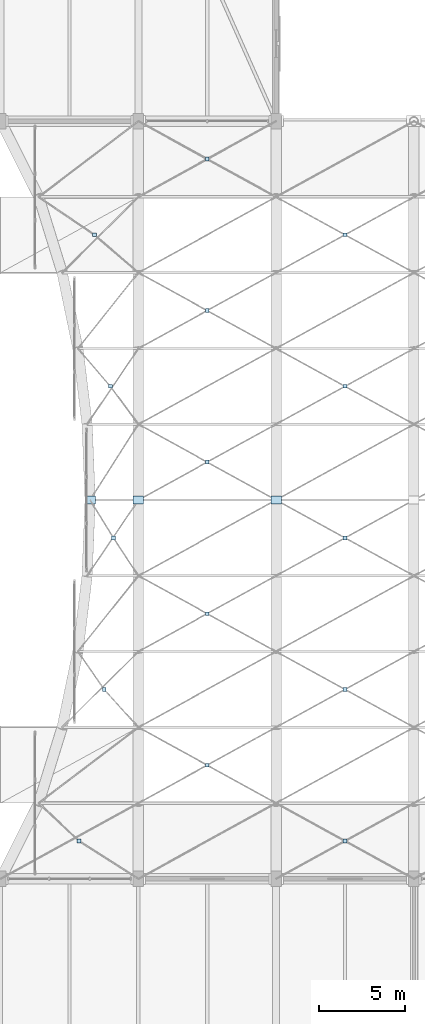
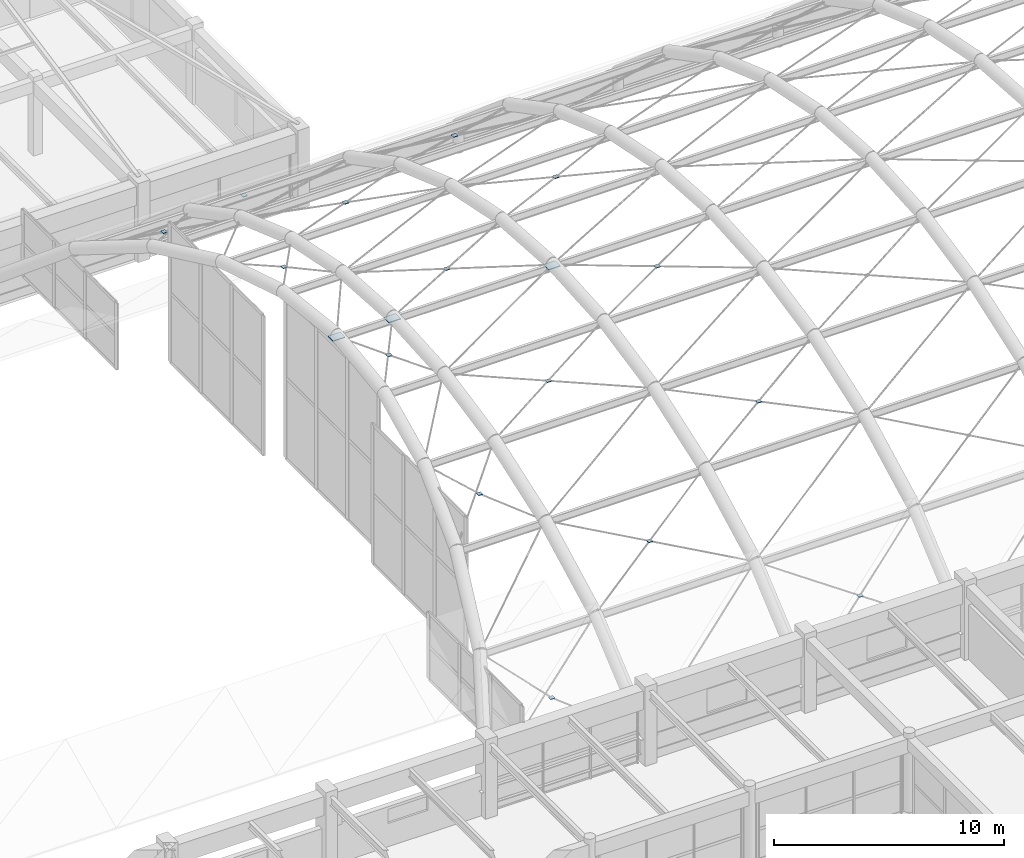
# One storey, part 93 of 126: 18 plates.
"""IFC4 building model written with IfcOpenShell, lengths in metres."""

from ifc_helpers import new_model, si_unit, direction, frame, origin, origin_2d, place, context, subcontext, project, spatial, rectangle, extrude, material, layer, layer_set, type_object, element, save


model = new_model("IFC4")

# Units and contexts
model_context = context("Model", 3, precision=1e-05, world=origin(), true_north=direction((0.0, 1.0)))
body_context = subcontext(model_context, "Body", "Model", "MODEL_VIEW")
ifc_project = project(units=[si_unit("LENGTHUNIT", "METRE"), si_unit("AREAUNIT", "SQUARE_METRE"), si_unit("VOLUMEUNIT", "CUBIC_METRE"), si_unit("PLANEANGLEUNIT", "RADIAN"), si_unit("MASSUNIT", "GRAM", prefix="KILO")], contexts=[model_context])

# Site, building, storey
site_placement = place(None, origin())
site = spatial("IfcSite", under=ifc_project, at=site_placement, CompositionType="ELEMENT")
building_placement = place(site_placement, origin())
building = spatial("IfcBuilding", under=site, at=building_placement, Name="Varnabhumi Central Station", CompositionType="ELEMENT")
storey_placement = place(building_placement, frame((0.0, 0.0, 16.199951171875)))
storey = spatial("IfcBuildingStorey", under=building, at=storey_placement, Name="L03", CompositionType="ELEMENT", Elevation=16.199951171875)

# Plates
ifc_material = material(Name="Structural steel E450", Category="steel")
ifc_layer = layer(ifc_material, 0.035888671875, Name="Structural steel E450", Category="steel")
ifc_layer_set = layer_set([ifc_layer], Name="Structural steel E450")
plate_type = type_object("IfcPlateType", Name="PLT-CLEVIS-C", PredefinedType="SHEET", material=ifc_layer_set)
for number, where, z_axis, x_axis, name in (
    (1, (133.199951171875, 58.0, 10.01220703125), (0.0, 0.0, 1.0), (1.0, 0.0, 0.0), "Platform Train-Shed Vault Crown Cable Clevis Plate 1"),
    (2, (136.0, 58.0, 10.01220703125), (0.0, 0.0, 1.0), (1.0, 0.0, 0.0), "Platform Train-Shed Vault Crown Cable Clevis Plate 2"),
    (3, (144.0, 58.0, 10.01220703125), (0.0, 0.0, 1.0), (1.0, 0.0, 0.0), "Platform Train-Shed Vault Crown Cable Clevis Plate 3"),
):
    element("IfcPlate", number, at=place(storey_placement, frame(where, z_axis=z_axis, x_axis=x_axis)), inside=storey, type_object=plate_type, Name=name, PredefinedType="SHEET", context=body_context, shape_type="SweptSolid", body=[
        extrude(rectangle(XDim=0.60009765625, YDim=0.449951171875, at=origin_2d()), origin(), (0.0, 0.0, 1.0), 0.035888671875),
    ])
for number, where, z_axis, x_axis, name in (
    (4, (132.553466796875, 38.199951171875, 3.12939453125), (0.0, 0.0, 1.0), (1.0, 0.0, 0.0), "Platform Train-Shed Vault Cable-Net Crossing Clamp Node B1-P1"),
    (5, (134.01708984375, 47.0, 8.08349609375), (0.0, 0.0, 1.0), (1.0, 0.0, 0.0), "Platform Train-Shed Vault Cable-Net Crossing Clamp Node B1-P3"),
    (6, (134.55615234375, 55.800048828125, 9.9072265625), (0.0, 0.0, 1.0), (1.0, 0.0, 0.0), "Platform Train-Shed Vault Cable-Net Crossing Clamp Node B1-P5"),
    (7, (134.37890625, 64.60009765625, 9.30810546875), (0.0, 0.0, 1.0), (1.0, 0.0, 0.0), "Platform Train-Shed Vault Cable-Net Crossing Clamp Node B1-P7"),
    (8, (133.44775390625, 73.39990234375, 6.15625), (0.0, 0.0, 1.0), (1.0, 0.0, 0.0), "Platform Train-Shed Vault Cable-Net Crossing Clamp Node B1-P9"),
    (9, (140.0, 42.60009765625, 6.15625), (0.0, 0.0, 1.0), (1.0, 0.0, 0.0), "Platform Train-Shed Vault Cable-Net Crossing Clamp Node B2-P2"),
    (10, (140.0, 51.39990234375, 9.30810546875), (0.0, 0.0, 1.0), (1.0, 0.0, 0.0), "Platform Train-Shed Vault Cable-Net Crossing Clamp Node B2-P4"),
    (11, (140.0, 60.199951171875, 9.9072265625), (0.0, 0.0, 1.0), (1.0, 0.0, 0.0), "Platform Train-Shed Vault Cable-Net Crossing Clamp Node B2-P6"),
    (12, (140.0, 69.0, 8.08349609375), (0.0, 0.0, 1.0), (1.0, 0.0, 0.0), "Platform Train-Shed Vault Cable-Net Crossing Clamp Node B2-P8"),
    (13, (140.0, 77.800048828125, 3.12939453125), (0.0, 0.0, 1.0), (1.0, 0.0, 0.0), "Platform Train-Shed Vault Cable-Net Crossing Clamp Node B2-P10"),
    (14, (148.0, 38.199951171875, 3.12939453125), (0.0, 0.0, 1.0), (1.0, 0.0, 0.0), "Platform Train-Shed Vault Cable-Net Crossing Clamp Node B3-P1"),
    (15, (148.0, 47.0, 8.08349609375), (0.0, 0.0, 1.0), (1.0, 0.0, 0.0), "Platform Train-Shed Vault Cable-Net Crossing Clamp Node B3-P3"),
    (16, (148.0, 55.800048828125, 9.9072265625), (0.0, 0.0, 1.0), (1.0, 0.0, 0.0), "Platform Train-Shed Vault Cable-Net Crossing Clamp Node B3-P5"),
    (17, (148.0, 64.60009765625, 9.30810546875), (0.0, 0.0, 1.0), (1.0, 0.0, 0.0), "Platform Train-Shed Vault Cable-Net Crossing Clamp Node B3-P7"),
    (18, (148.0, 73.39990234375, 6.15625), (0.0, 0.0, 1.0), (1.0, 0.0, 0.0), "Platform Train-Shed Vault Cable-Net Crossing Clamp Node B3-P9"),
):
    element("IfcPlate", number, at=place(storey_placement, frame(where, z_axis=z_axis, x_axis=x_axis)), inside=storey, type_object=plate_type, Name=name, PredefinedType="SHEET", context=body_context, shape_type="SweptSolid", body=[
        extrude(rectangle(XDim=0.219970703125, YDim=0.219970703125, at=origin_2d()), origin(), (0.0, 0.0, 1.0), 0.028076171875),
    ])

save(model, "model.ifc")
